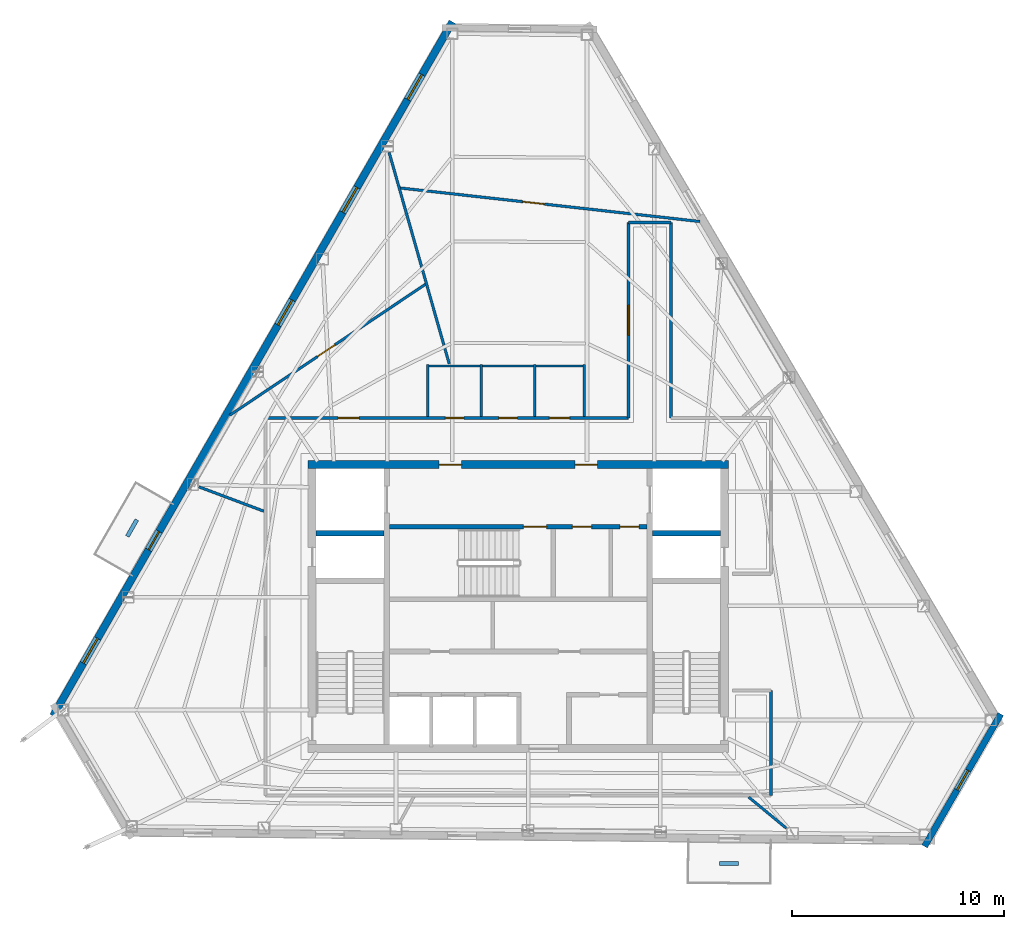
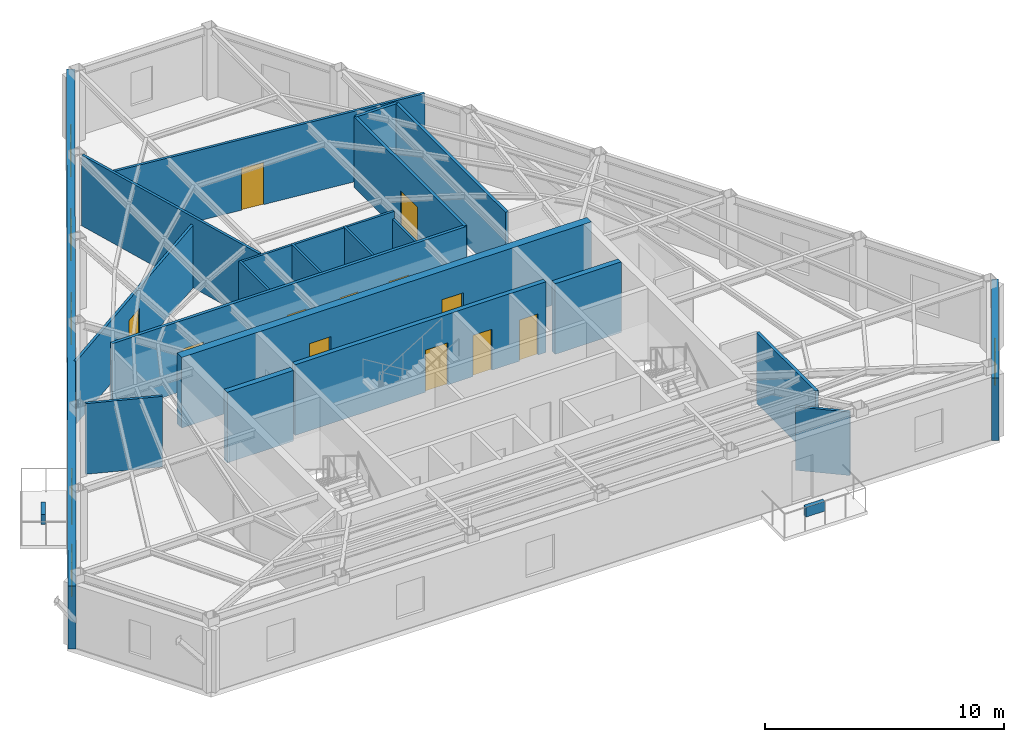
# One storey, part 8 of 11: 23 walls, 13 doors, 5 windows, 18 openings.
"""IFC4 building model written with IfcOpenShell, lengths in metres."""

from ifc_helpers import new_model, si_unit, direction, frame, frame_2d, origin, place, context, subcontext, project, spatial, rectangle, extrude, material, layer, layer_set, type_object, element, fill, save


model = new_model("IFC4")

# Units and contexts
model_context = context("Model", 3, precision=1e-05, world=origin(), true_north=direction((0.0, 1.0)))
body_context = subcontext(model_context, "Body", "Model", "MODEL_VIEW")
ifc_project = project(units=[si_unit("LENGTHUNIT", "METRE"), si_unit("AREAUNIT", "SQUARE_METRE"), si_unit("VOLUMEUNIT", "CUBIC_METRE"), si_unit("PLANEANGLEUNIT", "RADIAN"), si_unit("MASSUNIT", "GRAM", prefix="KILO")], contexts=[model_context])

# Site, building, storey
site_placement = place(None, origin())
site = spatial("IfcSite", under=ifc_project, at=site_placement, CompositionType="ELEMENT")
building_placement = place(site_placement, origin())
building = spatial("IfcBuilding", under=site, at=building_placement, Name="Kavelnor Concourse Tower", CompositionType="ELEMENT")
storey_placement = place(building_placement, frame((0.0, 0.0, 262.60009765625)))
storey = spatial("IfcBuildingStorey", under=building, at=storey_placement, Name="L66", CompositionType="ELEMENT", Elevation=262.60009765625)

# Wall, openings, doors
ifc_material_1 = material(Name="Concrete C50/60", Category="concrete")
ifc_layer_1 = layer(ifc_material_1, 0.3798828125, Name="Concrete C50/60")
ifc_layer_set_1 = layer_set([ifc_layer_1], Name="Concrete C50/60")
wall_type_1 = type_object("IfcWallType", Name="WL-CORE-Z4-380", PredefinedType="SOLIDWALL", material=ifc_layer_set_1)
wall_1_placement = place(storey_placement, frame((28.10009765625, 22.7900390625, 0.0), z_axis=(0.0, 0.0, 1.0), x_axis=(1.0, 0.0, 0.0)))
wall_1 = element("IfcWall", 1, at=wall_1_placement, inside=storey, type_object=wall_type_1, Name="L66 Central Core North Shear Wall", PredefinedType="SOLIDWALL", context=body_context, shape_type="SweptSolid", body=[
    extrude(rectangle(XDim=19.7998046875, YDim=0.3798828125, at=frame_2d((9.89990234375, 0.0))), origin(), (0.0, 0.0, 1.0), 3.60986328125),
])
opening_1_placement = place(wall_1_placement, frame((6.175048828125, 0.0, 0.0)))
opening_1 = element("IfcOpeningElement", 2, at=opening_1_placement, cuts=wall_1, Name="Opening FD-105", PredefinedType="OPENING", context=body_context, shape_type="SweptSolid", body=[
    extrude(rectangle(XDim=1.050048828125, YDim=2.14990234375, at=frame_2d((0.52490234375, 1.074951171875))), frame((0.0, 0.199951171875, 0.0), z_axis=(0.0, -1.0, 0.0), x_axis=(1.0, 0.0, 0.0)), (0.0, 0.0, 1.0), 0.39990234375),
])
opening_2_placement = place(wall_1_placement, frame((12.574951171875, 0.0, 0.0)))
opening_2 = element("IfcOpeningElement", 3, at=opening_2_placement, cuts=wall_1, Name="Opening FD-105", PredefinedType="OPENING", context=body_context, shape_type="SweptSolid", body=[
    extrude(rectangle(XDim=1.050048828125, YDim=2.14990234375, at=frame_2d((0.52490234375, 1.074951171875))), frame((0.0, 0.199951171875, 0.0), z_axis=(0.0, -1.0, 0.0), x_axis=(1.0, 0.0, 0.0)), (0.0, 0.0, 1.0), 0.39990234375),
])
ifc_material_2 = material(Name="Steel Grade 350", Category="steel")
door_type_1 = type_object("IfcDoorType", Name="DR-LOBBY-FIRE-1050", OperationType="NOTDEFINED", PredefinedType="DOOR", material=ifc_material_2)
door_1_placement = place(opening_1_placement, origin())
door_1 = element("IfcDoor", 4, at=door_1_placement, inside=storey, type_object=door_type_1, Name="L66 Emergency Lift Lobby West Door", OperationType="SINGLE_SWING_LEFT", OverallHeight=2.14990234375, OverallWidth=1.050048828125, PredefinedType="DOOR", context=body_context, shape_type="SweptSolid", body=[
    extrude(rectangle(XDim=1.050048828125, YDim=2.14990234375, at=frame_2d((0.52490234375, 1.074951171875))), frame((0.0, 0.02490234375, 0.0), z_axis=(0.0, -1.0, 0.0), x_axis=(1.0, 0.0, 0.0)), (0.0, 0.0, 1.0), 0.050048828125),
])
fill(opening_1, door_1)
door_2_placement = place(opening_2_placement, origin())
door_2 = element("IfcDoor", 5, at=door_2_placement, inside=storey, type_object=door_type_1, Name="L66 Emergency Lift Lobby East Door", OperationType="SINGLE_SWING_RIGHT", OverallHeight=2.14990234375, OverallWidth=1.050048828125, PredefinedType="DOOR", context=body_context, shape_type="SweptSolid", body=[
    extrude(rectangle(XDim=1.050048828125, YDim=2.14990234375, at=frame_2d((0.52490234375, 1.074951171875))), frame((0.0, 0.02490234375, 0.0), z_axis=(0.0, -1.0, 0.0), x_axis=(1.0, 0.0, 0.0)), (0.0, 0.0, 1.0), 0.050048828125),
])
fill(opening_2, door_2)

# Wall, opening, window
ifc_material_3 = material(Name="Buff ironspot clay face brick masonry", Category="masonry")
ifc_layer_2 = layer(ifc_material_3, 0.300048828125, Name="Buff ironspot clay face brick masonry")
ifc_layer_set_2 = layer_set([ifc_layer_2], Name="Buff ironspot clay face brick masonry")
wall_type_2 = type_object("IfcWallType", Name="WL-EXT-BUFF-BRICK-FOLD-300", PredefinedType="STANDARD", material=ifc_layer_set_2)
wall_2_placement = place(storey_placement, frame((60.727783203125, 11.0419921875, 0.0), z_axis=(0.0, 0.0, 1.0), x_axis=(-0.498716541594, -0.866765141858, 0.0)))
wall_2 = element("IfcWall", 6, at=wall_2_placement, inside=storey, type_object=wall_type_2, Name="L66 Exterior Brick Facade Wall E4", PredefinedType="STANDARD", context=body_context, shape_type="SweptSolid", body=[
    extrude(rectangle(XDim=7.1953125, YDim=0.300048828125, at=frame_2d((3.59765625, 0.0))), origin(), (0.0, 0.0, 1.0), 3.19580078125),
])
opening_3_placement = place(wall_2_placement, frame((3.072509765625, 0.0, 0.64990234375)))
opening_3 = element("IfcOpeningElement", 7, at=opening_3_placement, cuts=wall_2, Name="Opening W-06", PredefinedType="OPENING", context=body_context, shape_type="SweptSolid", body=[
    extrude(rectangle(XDim=1.050048828125, YDim=1.699951171875, at=frame_2d((0.52490234375, 0.85009765625))), frame((0.0, 0.16015625, 0.0), z_axis=(0.0, -1.0, 0.0), x_axis=(1.0, 0.0, 0.0)), (0.0, 0.0, 1.0), 0.320068359375),
])
ifc_material_4 = material(Name="Double low-E argon insulated glazing", Category="glass")
window_type_1 = type_object("IfcWindowType", Name="WIN-FOLD-1050", PartitioningType="SINGLE_PANEL", PredefinedType="WINDOW", material=ifc_material_4)
window_1_placement = place(opening_3_placement, origin())
window_1 = element("IfcWindow", 8, at=window_1_placement, inside=storey, type_object=window_type_1, Name="L66 Chamfer-Fold Facet Window C2", OverallHeight=1.699951171875, OverallWidth=1.050048828125, PartitioningType="SINGLE_PANEL", PredefinedType="WINDOW", context=body_context, shape_type="SweptSolid", body=[
    extrude(rectangle(XDim=1.050048828125, YDim=1.699951171875, at=frame_2d((0.52490234375, 0.85009765625))), frame((0.0, 0.030029296875, 0.0), z_axis=(0.0, -1.0, 0.0), x_axis=(1.0, 0.0, 0.0)), (0.0, 0.0, 1.0), 0.06005859375),
])
fill(opening_3, window_1)

# Wall, openings, door, windows
ifc_material_5 = material(Name="Red-ochre clay face brick masonry", Category="masonry")
ifc_layer_3 = layer(ifc_material_5, 0.35009765625, Name="Red-ochre clay face brick masonry")
ifc_layer_set_3 = layer_set([ifc_layer_3], Name="Red-ochre clay face brick masonry")
wall_type_3 = type_object("IfcWallType", Name="WL-EXT-RED-BRICK-PIER-350", PredefinedType="STANDARD", material=ifc_layer_set_3)
wall_3_placement = place(storey_placement, frame((16.07861328125, 10.951416015625, 0.0), z_axis=(0.0, 0.0, 1.0), x_axis=(0.498709777088, 0.866769033963, 0.0)))
wall_3 = element("IfcWall", 9, at=wall_3_placement, inside=storey, type_object=wall_type_3, Name="L66 Exterior Brick Facade Wall E1", PredefinedType="STANDARD", context=body_context, shape_type="SweptSolid", body=[
    extrude(rectangle(XDim=37.726318359375, YDim=0.35009765625, at=frame_2d((18.86328125, 0.0))), origin(), (0.0, 0.0, 1.0), 3.19580078125),
])
opening_4_placement = place(wall_3_placement, frame((9.031494140625, 0.0, 0.0)))
opening_4 = element("IfcOpeningElement", 10, at=opening_4_placement, cuts=wall_3, Name="Opening BD-100", PredefinedType="OPENING", context=body_context, shape_type="SweptSolid", body=[
    extrude(rectangle(XDim=1.0, YDim=2.199951171875, at=frame_2d((0.5, 1.10009765625))), frame((0.0, 0.18505859375, 0.0), z_axis=(0.0, -1.0, 0.0), x_axis=(1.0, 0.0, 0.0)), (0.0, 0.0, 1.0), 0.3701171875),
])
opening_5_placement = place(wall_3_placement, frame((33.50634765625, 0.0, 0.64990234375)))
opening_5 = element("IfcOpeningElement", 11, at=opening_5_placement, cuts=wall_3, Name="Opening W-04", PredefinedType="OPENING", context=body_context, shape_type="SweptSolid", body=[
    extrude(rectangle(XDim=1.35009765625, YDim=1.75, at=frame_2d((0.675048828125, 0.875))), frame((0.0, 0.18505859375, 0.0), z_axis=(0.0, -1.0, 0.0), x_axis=(1.0, 0.0, 0.0)), (0.0, 0.0, 1.0), 0.3701171875),
])
opening_6_placement = place(wall_3_placement, frame((27.37890625, 0.0, 0.64990234375)))
opening_6 = element("IfcOpeningElement", 12, at=opening_6_placement, cuts=wall_3, Name="Opening W-04", PredefinedType="OPENING", context=body_context, shape_type="SweptSolid", body=[
    extrude(rectangle(XDim=1.35009765625, YDim=1.75, at=frame_2d((0.675048828125, 0.875))), frame((0.0, 0.18505859375, 0.0), z_axis=(0.0, -1.0, 0.0), x_axis=(1.0, 0.0, 0.0)), (0.0, 0.0, 1.0), 0.3701171875),
])
opening_7_placement = place(wall_3_placement, frame((21.251220703125, 0.0, 0.64990234375)))
opening_7 = element("IfcOpeningElement", 13, at=opening_7_placement, cuts=wall_3, Name="Opening W-04", PredefinedType="OPENING", context=body_context, shape_type="SweptSolid", body=[
    extrude(rectangle(XDim=1.35009765625, YDim=1.75, at=frame_2d((0.675048828125, 0.875))), frame((0.0, 0.18505859375, 0.0), z_axis=(0.0, -1.0, 0.0), x_axis=(1.0, 0.0, 0.0)), (0.0, 0.0, 1.0), 0.3701171875),
])
opening_8_placement = place(wall_3_placement, frame((2.868408203125, 0.0, 0.64990234375)))
opening_8 = element("IfcOpeningElement", 14, at=opening_8_placement, cuts=wall_3, Name="Opening W-04", PredefinedType="OPENING", context=body_context, shape_type="SweptSolid", body=[
    extrude(rectangle(XDim=1.35009765625, YDim=1.75, at=frame_2d((0.675048828125, 0.875))), frame((0.0, 0.18505859375, 0.0), z_axis=(0.0, -1.0, 0.0), x_axis=(1.0, 0.0, 0.0)), (0.0, 0.0, 1.0), 0.3701171875),
])
ifc_material_6 = material(Name="Anodised aluminium 6063-T6", Category="aluminium")
door_type_2 = type_object("IfcDoorType", Name="DR-BALCONY-EXT-1000", OperationType="NOTDEFINED", PredefinedType="DOOR", material=ifc_material_6)
door_3_placement = place(opening_4_placement, origin())
door_3 = element("IfcDoor", 15, at=door_3_placement, inside=storey, type_object=door_type_2, Name="L66 Tree Balcony 1 Glazed Door", OperationType="SINGLE_SWING_LEFT", OverallHeight=2.199951171875, OverallWidth=1.0, PredefinedType="DOOR", context=body_context, shape_type="SweptSolid", body=[
    extrude(rectangle(XDim=1.0, YDim=2.199951171875, at=frame_2d((0.5, 1.10009765625))), frame((0.0, 0.02490234375, 0.0), z_axis=(0.0, -1.0, 0.0), x_axis=(1.0, 0.0, 0.0)), (0.0, 0.0, 1.0), 0.050048828125),
])
fill(opening_4, door_3)
window_type_2 = type_object("IfcWindowType", Name="WIN-PIER-Z4-1350", PartitioningType="SINGLE_PANEL", PredefinedType="WINDOW", material=ifc_material_4)
window_2_placement = place(opening_5_placement, origin())
window_2 = element("IfcWindow", 16, at=window_2_placement, inside=storey, type_object=window_type_2, Name="L66 Deep-Set Brick Pier Window F0-B0", OverallHeight=1.75, OverallWidth=1.35009765625, PartitioningType="SINGLE_PANEL", PredefinedType="WINDOW", context=body_context, shape_type="SweptSolid", body=[
    extrude(rectangle(XDim=1.35009765625, YDim=1.75, at=frame_2d((0.675048828125, 0.875))), frame((0.0, 0.030029296875, 0.0), z_axis=(0.0, -1.0, 0.0), x_axis=(1.0, 0.0, 0.0)), (0.0, 0.0, 1.0), 0.06005859375),
])
fill(opening_5, window_2)
window_3_placement = place(opening_6_placement, origin())
window_3 = element("IfcWindow", 17, at=window_3_placement, inside=storey, type_object=window_type_2, Name="L66 Deep-Set Brick Pier Window F0-B1", OverallHeight=1.75, OverallWidth=1.35009765625, PartitioningType="SINGLE_PANEL", PredefinedType="WINDOW", context=body_context, shape_type="SweptSolid", body=[
    extrude(rectangle(XDim=1.35009765625, YDim=1.75, at=frame_2d((0.675048828125, 0.875))), frame((0.0, 0.030029296875, 0.0), z_axis=(0.0, -1.0, 0.0), x_axis=(1.0, 0.0, 0.0)), (0.0, 0.0, 1.0), 0.06005859375),
])
fill(opening_6, window_3)
window_4_placement = place(opening_7_placement, origin())
window_4 = element("IfcWindow", 18, at=window_4_placement, inside=storey, type_object=window_type_2, Name="L66 Deep-Set Brick Pier Window F0-B2", OverallHeight=1.75, OverallWidth=1.35009765625, PartitioningType="SINGLE_PANEL", PredefinedType="WINDOW", context=body_context, shape_type="SweptSolid", body=[
    extrude(rectangle(XDim=1.35009765625, YDim=1.75, at=frame_2d((0.675048828125, 0.875))), frame((0.0, 0.030029296875, 0.0), z_axis=(0.0, -1.0, 0.0), x_axis=(1.0, 0.0, 0.0)), (0.0, 0.0, 1.0), 0.06005859375),
])
fill(opening_7, window_4)
window_5_placement = place(opening_8_placement, origin())
window_5 = element("IfcWindow", 19, at=window_5_placement, inside=storey, type_object=window_type_2, Name="L66 Deep-Set Brick Pier Window F0-B5", OverallHeight=1.75, OverallWidth=1.35009765625, PartitioningType="SINGLE_PANEL", PredefinedType="WINDOW", context=body_context, shape_type="SweptSolid", body=[
    extrude(rectangle(XDim=1.35009765625, YDim=1.75, at=frame_2d((0.675048828125, 0.875))), frame((0.0, 0.030029296875, 0.0), z_axis=(0.0, -1.0, 0.0), x_axis=(1.0, 0.0, 0.0)), (0.0, 0.0, 1.0), 0.06005859375),
])
fill(opening_8, window_5)

# Wall, opening, door
ifc_material_7 = material(Name="Gypsum plasterboard on light-gauge steel studs", Category="steel")
ifc_layer_4 = layer(ifc_material_7, 0.14501953125, Name="Gypsum plasterboard on light-gauge steel studs")
ifc_layer_set_4 = layer_set([ifc_layer_4], Name="Gypsum plasterboard on light-gauge steel studs")
wall_type_4 = type_object("IfcWallType", Name="WL-INT-CORR-145", PredefinedType="PARTITIONING", material=ifc_layer_set_4)
wall_4_placement = place(storey_placement, frame((43.199951171875, 24.989990234375, 0.0), z_axis=(0.0, 0.0, 1.0), x_axis=(0.0, 1.0, 0.0)))
wall_4 = element("IfcWall", 20, at=wall_4_placement, inside=storey, type_object=wall_type_4, Name="L66 Corridor Wall WL-L66-CR-01", PredefinedType="PARTITIONING", context=body_context, shape_type="SweptSolid", body=[
    extrude(rectangle(XDim=9.217041015625, YDim=0.14501953125, at=frame_2d((4.6083984375, 0.0))), origin(), (0.0, 0.0, 1.0), 3.60986328125),
])
opening_9_placement = place(wall_4_placement, frame((3.908447265625, 0.0, 0.0)))
opening_9 = element("IfcOpeningElement", 21, at=opening_9_placement, cuts=wall_4, Name="Opening SD-140", PredefinedType="OPENING", context=body_context, shape_type="SweptSolid", body=[
    extrude(rectangle(XDim=1.39990234375, YDim=2.199951171875, at=frame_2d((0.699951171875, 1.10009765625))), frame((0.0, 0.08251953125, 0.0), z_axis=(0.0, -1.0, 0.0), x_axis=(1.0, 0.0, 0.0)), (0.0, 0.0, 1.0), 0.1650390625),
])
ifc_material_8 = material(Name="Solid-core hardwood timber", Category="wood")
door_type_3 = type_object("IfcDoorType", Name="DR-SUITE-ENTRY-1400", OperationType="NOTDEFINED", PredefinedType="DOOR", material=ifc_material_8)
door_4_placement = place(opening_9_placement, origin())
door_4 = element("IfcDoor", 22, at=door_4_placement, inside=storey, type_object=door_type_3, Name="L66 Tenant Bookstore Retail Shop 01 Door", OperationType="SINGLE_SWING_RIGHT", OverallHeight=2.199951171875, OverallWidth=1.39990234375, PredefinedType="DOOR", context=body_context, shape_type="SweptSolid", body=[
    extrude(rectangle(XDim=1.39990234375, YDim=2.199951171875, at=frame_2d((0.699951171875, 1.10009765625))), frame((0.0, 0.02490234375, 0.0), z_axis=(0.0, -1.0, 0.0), x_axis=(1.0, 0.0, 0.0)), (0.0, 0.0, 1.0), 0.050048828125),
])
fill(opening_9, door_4)

# Walls
wall_5_placement = place(storey_placement, frame((43.199951171875, 34.20703125, 0.0), z_axis=(0.0, 0.0, 1.0), x_axis=(1.0, 0.0, 0.0)))
element("IfcWall", 23, at=wall_5_placement, inside=storey, type_object=wall_type_4, Name="L66 Corridor Wall WL-L66-CR-02", PredefinedType="PARTITIONING", context=body_context, shape_type="SweptSolid", body=[
    extrude(rectangle(XDim=2.0, YDim=0.14501953125, at=frame_2d((1.0, 0.0))), origin(), (0.0, 0.0, 1.0), 3.60986328125),
])
wall_6_placement = place(storey_placement, frame((45.199951171875, 34.20703125, 0.0), z_axis=(0.0, 0.0, 1.0), x_axis=(0.0, -1.0, 0.0)))
element("IfcWall", 24, at=wall_6_placement, inside=storey, type_object=wall_type_4, Name="L66 Corridor Wall WL-L66-CR-03", PredefinedType="PARTITIONING", context=body_context, shape_type="SweptSolid", body=[
    extrude(rectangle(XDim=9.217041015625, YDim=0.14501953125, at=frame_2d((4.6083984375, 0.0))), origin(), (0.0, 0.0, 1.0), 3.60986328125),
])
wall_7_placement = place(storey_placement, frame((49.909912109375, 12.14990234375, 0.0), z_axis=(0.0, 0.0, 1.0), x_axis=(0.0, -1.0, 0.0)))
element("IfcWall", 25, at=wall_7_placement, inside=storey, type_object=wall_type_4, Name="L66 Corridor Wall WL-L66-CR-08", PredefinedType="PARTITIONING", context=body_context, shape_type="SweptSolid", body=[
    extrude(rectangle(XDim=4.93994140625, YDim=0.14501953125, at=frame_2d((2.469970703125, 0.0))), origin(), (0.0, 0.0, 1.0), 3.60986328125),
])

# Wall, openings, doors
wall_8_placement = place(storey_placement, frame((26.090087890625, 24.989990234375, 0.0), z_axis=(0.0, 0.0, 1.0), x_axis=(1.0, 0.0, 0.0)))
wall_8 = element("IfcWall", 26, at=wall_8_placement, inside=storey, type_object=wall_type_4, Name="L66 Corridor Wall WL-L66-CR-11", PredefinedType="PARTITIONING", context=body_context, shape_type="SweptSolid", body=[
    extrude(rectangle(XDim=17.10986328125, YDim=0.14501953125, at=frame_2d((8.554931640625, 0.0))), origin(), (0.0, 0.0, 1.0), 3.60986328125),
])
opening_10_placement = place(wall_8_placement, frame((8.469970703125, 0.0, 0.0)))
opening_10 = element("IfcOpeningElement", 27, at=opening_10_placement, cuts=wall_8, Name="Opening WD-088", PredefinedType="OPENING", context=body_context, shape_type="SweptSolid", body=[
    extrude(rectangle(XDim=0.8798828125, YDim=2.10009765625, at=frame_2d((0.43994140625, 1.050048828125))), frame((0.0, 0.08251953125, 0.0), z_axis=(0.0, -1.0, 0.0), x_axis=(1.0, 0.0, 0.0)), (0.0, 0.0, 1.0), 0.1650390625),
])
opening_11_placement = place(wall_8_placement, frame((10.989990234375, 0.0, 0.0)))
opening_11 = element("IfcOpeningElement", 28, at=opening_11_placement, cuts=wall_8, Name="Opening WD-088", PredefinedType="OPENING", context=body_context, shape_type="SweptSolid", body=[
    extrude(rectangle(XDim=0.8798828125, YDim=2.10009765625, at=frame_2d((0.43994140625, 1.050048828125))), frame((0.0, 0.08251953125, 0.0), z_axis=(0.0, -1.0, 0.0), x_axis=(1.0, 0.0, 0.0)), (0.0, 0.0, 1.0), 0.1650390625),
])
opening_12_placement = place(wall_8_placement, frame((13.3701171875, 0.0, 0.0)))
opening_12 = element("IfcOpeningElement", 29, at=opening_12_placement, cuts=wall_8, Name="Opening WD-096", PredefinedType="OPENING", context=body_context, shape_type="SweptSolid", body=[
    extrude(rectangle(XDim=0.9599609375, YDim=2.10009765625, at=frame_2d((0.47998046875, 1.050048828125))), frame((0.0, 0.08251953125, 0.0), z_axis=(0.0, -1.0, 0.0), x_axis=(1.0, 0.0, 0.0)), (0.0, 0.0, 1.0), 0.1650390625),
])
opening_13_placement = place(wall_8_placement, frame((3.425537109375, 0.0, 0.0)))
opening_13 = element("IfcOpeningElement", 30, at=opening_13_placement, cuts=wall_8, Name="Opening OD-098", PredefinedType="OPENING", context=body_context, shape_type="SweptSolid", body=[
    extrude(rectangle(XDim=0.97998046875, YDim=2.14990234375, at=frame_2d((0.489990234375, 1.074951171875))), frame((0.0, 0.08251953125, 0.0), z_axis=(0.0, -1.0, 0.0), x_axis=(1.0, 0.0, 0.0)), (0.0, 0.0, 1.0), 0.1650390625),
])
door_type_4 = type_object("IfcDoorType", Name="DR-OFFICE-980", OperationType="NOTDEFINED", PredefinedType="DOOR", material=ifc_material_8)
door_5_placement = place(opening_13_placement, origin())
door_5 = element("IfcDoor", 31, at=door_5_placement, inside=storey, type_object=door_type_4, Name="L66 Client Concierge 03 Door", OperationType="SINGLE_SWING_RIGHT", OverallHeight=2.14990234375, OverallWidth=0.97998046875, PredefinedType="DOOR", context=body_context, shape_type="SweptSolid", body=[
    extrude(rectangle(XDim=0.97998046875, YDim=2.14990234375, at=frame_2d((0.489990234375, 1.074951171875))), frame((0.0, 0.02490234375, 0.0), z_axis=(0.0, -1.0, 0.0), x_axis=(1.0, 0.0, 0.0)), (0.0, 0.0, 1.0), 0.050048828125),
])
fill(opening_13, door_5)
door_type_5 = type_object("IfcDoorType", Name="DR-WC-ACC-960", OperationType="NOTDEFINED", PredefinedType="DOOR", material=ifc_material_8)
door_6_placement = place(opening_12_placement, origin())
door_6 = element("IfcDoor", 32, at=door_6_placement, inside=storey, type_object=door_type_5, Name="L66 Accessible WC Door", OperationType="SINGLE_SWING_RIGHT", OverallHeight=2.10009765625, OverallWidth=0.9599609375, PredefinedType="DOOR", context=body_context, shape_type="SweptSolid", body=[
    extrude(rectangle(XDim=0.9599609375, YDim=2.10009765625, at=frame_2d((0.47998046875, 1.050048828125))), frame((0.0, 0.02490234375, 0.0), z_axis=(0.0, -1.0, 0.0), x_axis=(1.0, 0.0, 0.0)), (0.0, 0.0, 1.0), 0.050048828125),
])
fill(opening_12, door_6)
door_type_6 = type_object("IfcDoorType", Name="DR-WC-STD-880", OperationType="NOTDEFINED", PredefinedType="DOOR", material=ifc_material_8)
door_7_placement = place(opening_10_placement, origin())
door_7 = element("IfcDoor", 33, at=door_7_placement, inside=storey, type_object=door_type_6, Name="L66 Male WC Door", OperationType="SINGLE_SWING_RIGHT", OverallHeight=2.10009765625, OverallWidth=0.8798828125, PredefinedType="DOOR", context=body_context, shape_type="SweptSolid", body=[
    extrude(rectangle(XDim=0.8798828125, YDim=2.10009765625, at=frame_2d((0.43994140625, 1.050048828125))), frame((0.0, 0.02490234375, 0.0), z_axis=(0.0, -1.0, 0.0), x_axis=(1.0, 0.0, 0.0)), (0.0, 0.0, 1.0), 0.050048828125),
])
fill(opening_10, door_7)
door_8_placement = place(opening_11_placement, origin())
door_8 = element("IfcDoor", 34, at=door_8_placement, inside=storey, type_object=door_type_6, Name="L66 Female WC Door", OperationType="SINGLE_SWING_LEFT", OverallHeight=2.10009765625, OverallWidth=0.8798828125, PredefinedType="DOOR", context=body_context, shape_type="SweptSolid", body=[
    extrude(rectangle(XDim=0.8798828125, YDim=2.10009765625, at=frame_2d((0.43994140625, 1.050048828125))), frame((0.0, 0.02490234375, 0.0), z_axis=(0.0, -1.0, 0.0), x_axis=(1.0, 0.0, 0.0)), (0.0, 0.0, 1.0), 0.050048828125),
])
fill(opening_11, door_8)

# Walls
ifc_layer_5 = layer(ifc_material_7, 0.125, Name="Gypsum plasterboard on light-gauge steel studs")
ifc_layer_set_5 = layer_set([ifc_layer_5], Name="Gypsum plasterboard on light-gauge steel studs")
wall_type_5 = type_object("IfcWallType", Name="WL-INT-SUITE-125", PredefinedType="PARTITIONING", material=ifc_layer_set_5)
wall_9_placement = place(storey_placement, frame((34.74609375, 27.5400390625, 0.0), z_axis=(0.0, 0.0, 1.0), x_axis=(-0.273575053809, 0.961850658852, 0.0)))
element("IfcWall", 35, at=wall_9_placement, inside=storey, type_object=wall_type_5, Name="L66 Radial Suite Partition 02", PredefinedType="PARTITIONING", context=body_context, shape_type="SweptSolid", body=[
    extrude(rectangle(XDim=10.35546875, YDim=0.125, at=frame_2d((5.177734375, 0.0))), origin(), (0.0, 0.0, 1.0), 3.60986328125),
])
wall_10_placement = place(storey_placement, frame((26.009521484375, 20.599365234375, 0.0), z_axis=(0.0, 0.0, 1.0), x_axis=(-0.936261582144, 0.351303643308, 0.0)))
element("IfcWall", 36, at=wall_10_placement, inside=storey, type_object=wall_type_5, Name="L66 Radial Suite Partition 03", PredefinedType="PARTITIONING", context=body_context, shape_type="SweptSolid", body=[
    extrude(rectangle(XDim=3.266357421875, YDim=0.125, at=frame_2d((1.63330078125, 0.0))), origin(), (0.0, 0.0, 1.0), 3.60986328125),
])
wall_11_placement = place(storey_placement, frame((48.8525390625, 7.12939453125, 0.0), z_axis=(0.0, 0.0, 1.0), x_axis=(0.770826164976, -0.637045542632, 0.0)))
element("IfcWall", 37, at=wall_11_placement, inside=storey, type_object=wall_type_5, Name="L66 Radial Suite Partition 05", PredefinedType="PARTITIONING", context=body_context, shape_type="SweptSolid", body=[
    extrude(rectangle(XDim=2.306640625, YDim=0.125, at=frame_2d((1.1533203125, 0.0))), origin(), (0.0, 0.0, 1.0), 3.245849609375),
])

# Wall, opening, door
wall_12_placement = place(storey_placement, frame((46.5546875, 34.245849609375, 0.0), z_axis=(0.0, 0.0, 1.0), x_axis=(-0.993798756506, 0.111193666942, 0.0)))
wall_12 = element("IfcWall", 38, at=wall_12_placement, inside=storey, type_object=wall_type_5, Name="L66 Suite Subdivision Partition 01", PredefinedType="PARTITIONING", context=body_context, shape_type="SweptSolid", body=[
    extrude(rectangle(XDim=14.23876953125, YDim=0.125, at=frame_2d((7.119384765625, 0.0))), origin(), (0.0, 0.0, 1.0), 3.60986328125),
])
opening_14_placement = place(wall_12_placement, frame((7.368408203125, 0.0, 0.0)))
opening_14 = element("IfcOpeningElement", 39, at=opening_14_placement, cuts=wall_12, Name="Opening MD-102", PredefinedType="OPENING", context=body_context, shape_type="SweptSolid", body=[
    extrude(rectangle(XDim=1.02001953125, YDim=2.14990234375, at=frame_2d((0.510009765625, 1.074951171875))), frame((0.0, 0.072509765625, 0.0), z_axis=(0.0, -1.0, 0.0), x_axis=(1.0, 0.0, 0.0)), (0.0, 0.0, 1.0), 0.14501953125),
])
ifc_material_9 = material(Name="Acoustic glazed timber frame", Category="wood")
door_type_7 = type_object("IfcDoorType", Name="DR-MEETING-1020", OperationType="NOTDEFINED", PredefinedType="DOOR", material=ifc_material_9)
door_9_placement = place(opening_14_placement, origin())
door_9 = element("IfcDoor", 40, at=door_9_placement, inside=storey, type_object=door_type_7, Name="L66 Client Boardroom 02 Door", OperationType="SINGLE_SWING_LEFT", OverallHeight=2.14990234375, OverallWidth=1.02001953125, PredefinedType="DOOR", context=body_context, shape_type="SweptSolid", body=[
    extrude(rectangle(XDim=1.02001953125, YDim=2.14990234375, at=frame_2d((0.510009765625, 1.074951171875))), frame((0.0, 0.02490234375, 0.0), z_axis=(0.0, -1.0, 0.0), x_axis=(1.0, 0.0, 0.0)), (0.0, 0.0, 1.0), 0.050048828125),
])
fill(opening_14, door_9)

wall_13_placement = place(storey_placement, frame((33.658447265625, 31.3095703125, 0.0), z_axis=(0.0, 0.0, 1.0), x_axis=(-0.831131874476, -0.556075361106, 0.0)))
wall_13 = element("IfcWall", 41, at=wall_13_placement, inside=storey, type_object=wall_type_5, Name="L66 Suite Subdivision Partition 02", PredefinedType="PARTITIONING", context=body_context, shape_type="SweptSolid", body=[
    extrude(rectangle(XDim=11.1376953125, YDim=0.125, at=frame_2d((5.56884765625, 0.0))), origin(), (0.0, 0.0, 1.0), 3.198974609375),
])
opening_15_placement = place(wall_13_placement, frame((5.174560546875, 0.0, 0.0)))
opening_15 = element("IfcOpeningElement", 42, at=opening_15_placement, cuts=wall_13, Name="Opening OD-098", PredefinedType="OPENING", context=body_context, shape_type="SweptSolid", body=[
    extrude(rectangle(XDim=0.97998046875, YDim=2.14990234375, at=frame_2d((0.489990234375, 1.074951171875))), frame((0.0, 0.072509765625, 0.0), z_axis=(0.0, -1.0, 0.0), x_axis=(1.0, 0.0, 0.0)), (0.0, 0.0, 1.0), 0.14501953125),
])
door_10_placement = place(opening_15_placement, origin())
door_10 = element("IfcDoor", 43, at=door_10_placement, inside=storey, type_object=door_type_4, Name="L66 Tenant Bookstore Retail Shop 04 Door", OperationType="SINGLE_SWING_LEFT", OverallHeight=2.14990234375, OverallWidth=0.97998046875, PredefinedType="DOOR", context=body_context, shape_type="SweptSolid", body=[
    extrude(rectangle(XDim=0.97998046875, YDim=2.14990234375, at=frame_2d((0.489990234375, 1.074951171875))), frame((0.0, 0.02490234375, 0.0), z_axis=(0.0, -1.0, 0.0), x_axis=(1.0, 0.0, 0.0)), (0.0, 0.0, 1.0), 0.050048828125),
])
fill(opening_15, door_10)

# Walls
ifc_layer_6 = layer(ifc_material_7, 0.110107421875, Name="Gypsum plasterboard on light-gauge steel studs")
ifc_layer_set_6 = layer_set([ifc_layer_6], Name="Gypsum plasterboard on light-gauge steel studs")
wall_type_6 = type_object("IfcWallType", Name="WL-INT-WC-110", PredefinedType="PLUMBINGWALL", material=ifc_layer_set_6)
for number, where, z_axis, x_axis, name in (
    (44, (33.739990234375, 25.06005859375, 0.0), (0.0, 0.0, 1.0), (0.0, 1.0, 0.0), "L66 Sanitary Partition WL-L66-WC-W"),
    (45, (36.260009765625, 25.06005859375, 0.0), (0.0, 0.0, 1.0), (0.0, 1.0, 0.0), "L66 Sanitary Partition WL-L66-WC-D1"),
    (46, (38.780029296875, 25.06005859375, 0.0), (0.0, 0.0, 1.0), (0.0, 1.0, 0.0), "L66 Sanitary Partition WL-L66-WC-D2"),
):
    element("IfcWall", number, at=place(storey_placement, frame(where, z_axis=z_axis, x_axis=x_axis)), inside=storey, type_object=wall_type_6, Name=name, PredefinedType="PLUMBINGWALL", context=body_context, shape_type="SweptSolid", body=[
        extrude(rectangle(XDim=2.43994140625, YDim=0.110107421875, at=frame_2d((1.219970703125, 0.0))), origin(), (0.0, 0.0, 1.0), 3.60986328125),
    ])
wall_14_placement = place(storey_placement, frame((41.10009765625, 25.06005859375, 0.0), z_axis=(0.0, 0.0, 1.0), x_axis=(0.0, 1.0, 0.0)))
element("IfcWall", 47, at=wall_14_placement, inside=storey, type_object=wall_type_6, Name="L66 Sanitary Partition WL-L66-WC-E", PredefinedType="PLUMBINGWALL", context=body_context, shape_type="SweptSolid", body=[
    extrude(rectangle(XDim=2.43994140625, YDim=0.110107421875, at=frame_2d((1.219970703125, 0.0))), origin(), (0.0, 0.0, 1.0), 3.245849609375),
])
wall_15_placement = place(storey_placement, frame((33.68994140625, 27.43994140625, 0.0), z_axis=(0.0, 0.0, 1.0), x_axis=(1.0, 0.0, 0.0)))
element("IfcWall", 48, at=wall_15_placement, inside=storey, type_object=wall_type_6, Name="L66 Sanitary Partition WL-L66-WC-N", PredefinedType="PLUMBINGWALL", context=body_context, shape_type="SweptSolid", body=[
    extrude(rectangle(XDim=7.4599609375, YDim=0.110107421875, at=frame_2d((3.72998046875, 0.0))), origin(), (0.0, 0.0, 1.0), 3.60986328125),
])
ifc_material_10 = material(Name="Architectural precast planter concrete C40/50", Category="concrete")
ifc_layer_7 = layer(ifc_material_10, 0.18994140625, Name="Architectural precast planter concrete C40/50")
ifc_layer_set_7 = layer_set([ifc_layer_7], Name="Architectural precast planter concrete C40/50")
wall_type_7 = type_object("IfcWallType", Name="WL-PLANTER-KERB-190", PredefinedType="USERDEFINED", material=ifc_layer_set_7)
for number, where, z_axis, x_axis, name in (
    (49, (20.029296875, 20.194091796875, 0.0), (0.0, 0.0, 1.0), (-0.498649516751, -0.866803702948, 0.0), "L66 Tree Balcony 1 Tree Planter Kerb"),
    (50, (47.483154296875, 4.002197265625, 0.0), (0.0, 0.0, 1.0), (0.999946863625, -0.010308730553, 0.0), "L66 Tree Balcony 2 Tree Planter Kerb"),
):
    element("IfcWall", number, at=place(storey_placement, frame(where, z_axis=z_axis, x_axis=x_axis)), inside=storey, type_object=wall_type_7, Name=name, ObjectType="PLANTER", PredefinedType="USERDEFINED", context=body_context, shape_type="SweptSolid", body=[
        extrude(rectangle(XDim=0.89990234375, YDim=0.18994140625, at=frame_2d((0.449951171875, 0.0))), origin(), (0.0, 0.0, 1.0), 0.5),
    ])

# Wall, openings, doors
ifc_layer_8 = layer(ifc_material_1, 0.219970703125, Name="Concrete C50/60")
ifc_layer_set_8 = layer_set([ifc_layer_8], Name="Concrete C50/60")
wall_type_8 = type_object("IfcWallType", Name="WL-SHAFT-220", PredefinedType="SOLIDWALL", material=ifc_layer_set_8)
wall_16_placement = place(storey_placement, frame((31.93994140625, 19.8701171875, 0.0), z_axis=(0.0, 0.0, 1.0), x_axis=(1.0, 0.0, 0.0)))
wall_16 = element("IfcWall", 51, at=wall_16_placement, inside=storey, type_object=wall_type_8, Name="L66 Emergency Lift Lobby South Wall", PredefinedType="SOLIDWALL", context=body_context, shape_type="SweptSolid", body=[
    extrude(rectangle(XDim=12.1201171875, YDim=0.219970703125, at=frame_2d((6.06005859375, 0.0))), origin(), (0.0, 0.0, 1.0), 3.60986328125),
])
opening_16_placement = place(wall_16_placement, frame((6.300048828125, 0.0, 0.0)))
opening_16 = element("IfcOpeningElement", 52, at=opening_16_placement, cuts=wall_16, Name="Opening FD-110", PredefinedType="OPENING", context=body_context, shape_type="SweptSolid", body=[
    extrude(rectangle(XDim=1.10009765625, YDim=2.14990234375, at=frame_2d((0.550048828125, 1.074951171875))), frame((0.0, 0.1201171875, 0.0), z_axis=(0.0, -1.0, 0.0), x_axis=(1.0, 0.0, 0.0)), (0.0, 0.0, 1.0), 0.239990234375),
])
opening_17_placement = place(wall_16_placement, frame((8.610107421875, 0.0, 0.0)))
opening_17 = element("IfcOpeningElement", 53, at=opening_17_placement, cuts=wall_16, Name="Opening FD-090", PredefinedType="OPENING", context=body_context, shape_type="SweptSolid", body=[
    extrude(rectangle(XDim=0.89990234375, YDim=2.10009765625, at=frame_2d((0.449951171875, 1.050048828125))), frame((0.0, 0.1201171875, 0.0), z_axis=(0.0, -1.0, 0.0), x_axis=(1.0, 0.0, 0.0)), (0.0, 0.0, 1.0), 0.239990234375),
])
opening_18_placement = place(wall_16_placement, frame((10.85009765625, 0.0, 0.0)))
opening_18 = element("IfcOpeningElement", 54, at=opening_18_placement, cuts=wall_16, Name="Opening FD-090", PredefinedType="OPENING", context=body_context, shape_type="SweptSolid", body=[
    extrude(rectangle(XDim=0.89990234375, YDim=2.10009765625, at=frame_2d((0.449951171875, 1.050048828125))), frame((0.0, 0.1201171875, 0.0), z_axis=(0.0, -1.0, 0.0), x_axis=(1.0, 0.0, 0.0)), (0.0, 0.0, 1.0), 0.239990234375),
])
door_type_8 = type_object("IfcDoorType", Name="DR-RISER-FIRE-900", OperationType="NOTDEFINED", PredefinedType="DOOR", material=ifc_material_2)
door_11_placement = place(opening_17_placement, origin())
door_11 = element("IfcDoor", 55, at=door_11_placement, inside=storey, type_object=door_type_8, Name="L66 Electrical Room Door", OperationType="SINGLE_SWING_LEFT", OverallHeight=2.10009765625, OverallWidth=0.89990234375, PredefinedType="DOOR", context=body_context, shape_type="SweptSolid", body=[
    extrude(rectangle(XDim=0.89990234375, YDim=2.10009765625, at=frame_2d((0.449951171875, 1.050048828125))), frame((0.0, 0.02490234375, 0.0), z_axis=(0.0, -1.0, 0.0), x_axis=(1.0, 0.0, 0.0)), (0.0, 0.0, 1.0), 0.050048828125),
])
fill(opening_17, door_11)
door_12_placement = place(opening_18_placement, origin())
door_12 = element("IfcDoor", 56, at=door_12_placement, inside=storey, type_object=door_type_8, Name="L66 Cleaner Store Door", OperationType="SINGLE_SWING_RIGHT", OverallHeight=2.10009765625, OverallWidth=0.89990234375, PredefinedType="DOOR", context=body_context, shape_type="SweptSolid", body=[
    extrude(rectangle(XDim=0.89990234375, YDim=2.10009765625, at=frame_2d((0.449951171875, 1.050048828125))), frame((0.0, 0.02490234375, 0.0), z_axis=(0.0, -1.0, 0.0), x_axis=(1.0, 0.0, 0.0)), (0.0, 0.0, 1.0), 0.050048828125),
])
fill(opening_18, door_12)
door_type_9 = type_object("IfcDoorType", Name="DR-STAIR-FIRE-1100", OperationType="NOTDEFINED", PredefinedType="DOOR", material=ifc_material_2)
door_13_placement = place(opening_16_placement, origin())
door_13 = element("IfcDoor", 57, at=door_13_placement, inside=storey, type_object=door_type_9, Name="L66 Stair ST3 Fire Door", OperationType="SINGLE_SWING_LEFT", OverallHeight=2.14990234375, OverallWidth=1.10009765625, PredefinedType="DOOR", context=body_context, shape_type="SweptSolid", body=[
    extrude(rectangle(XDim=1.10009765625, YDim=2.14990234375, at=frame_2d((0.550048828125, 1.074951171875))), frame((0.0, 0.02490234375, 0.0), z_axis=(0.0, -1.0, 0.0), x_axis=(1.0, 0.0, 0.0)), (0.0, 0.0, 1.0), 0.050048828125),
])
fill(opening_16, door_13)

# Walls
ifc_layer_9 = layer(ifc_material_1, 0.260009765625, Name="Concrete C50/60")
ifc_layer_set_9 = layer_set([ifc_layer_9], Name="Concrete C50/60")
wall_type_9 = type_object("IfcWallType", Name="WL-SHAFT-260", PredefinedType="SHEAR", material=ifc_layer_set_9)
for number, where, z_axis, x_axis, name in (
    (58, (28.47998046875, 19.570068359375, 0.0), (0.0, 0.0, 1.0), (1.0, 0.0, 0.0), "L66 Emergency Lift FL1 South Shaft Wall"),
    (59, (44.320068359375, 19.570068359375, 0.0), (0.0, 0.0, 1.0), (1.0, 0.0, 0.0), "L66 Emergency Lift FL2 South Shaft Wall"),
):
    element("IfcWall", number, at=place(storey_placement, frame(where, z_axis=z_axis, x_axis=x_axis)), inside=storey, type_object=wall_type_9, Name=name, PredefinedType="SHEAR", context=body_context, shape_type="SweptSolid", body=[
        extrude(rectangle(XDim=3.199951171875, YDim=0.260009765625, at=frame_2d((1.60009765625, 0.0))), origin(), (0.0, 0.0, 1.0), 3.60986328125),
    ])

save(model, "model.ifc")
